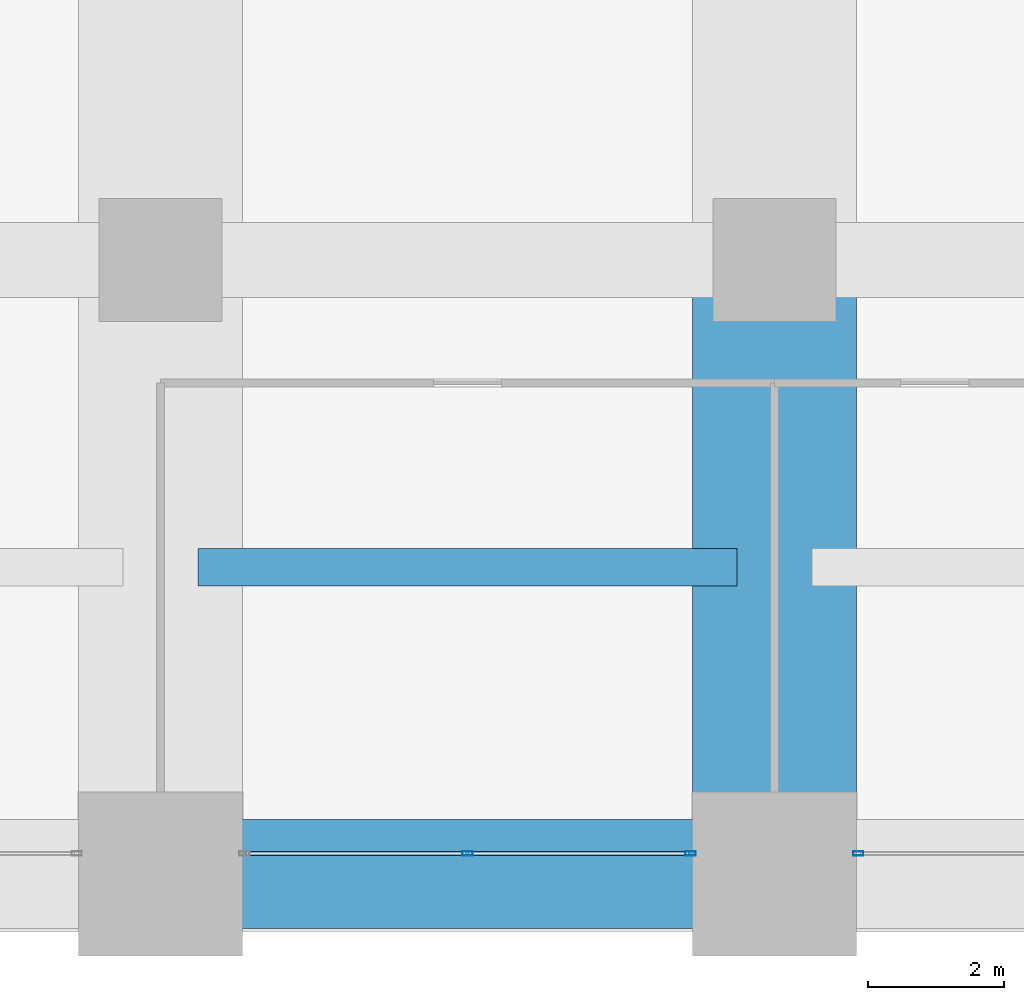
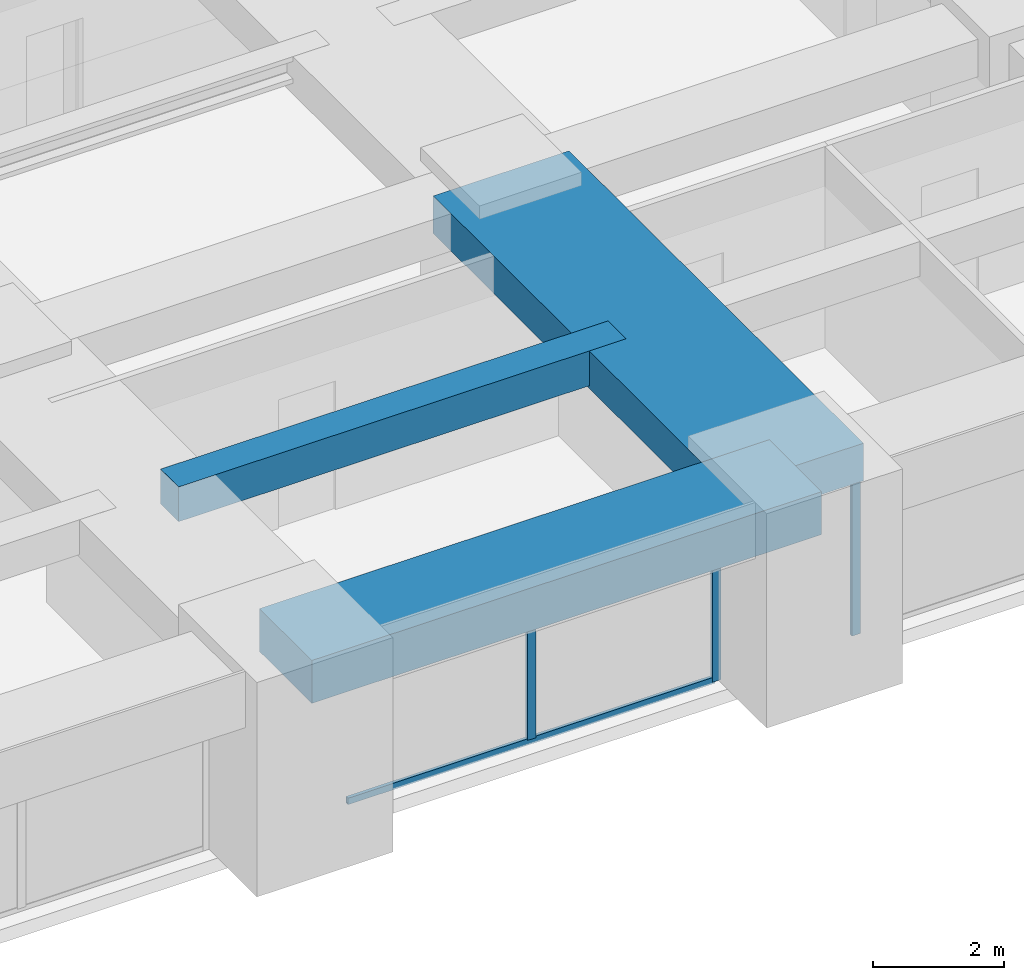
# One storey, part 14 of 43: 4 members, 3 beams, 2 elements without a shape of their own.
"""IFC4 building model written with IfcOpenShell, lengths in metres."""

import ifcopenshell
import ifcopenshell.guid

model = None  # the IFC model being written
_history = None  # IfcOwnerHistory: only IFC2X3 demands one
_inside = {}  # id of a spatial element -> (the spatial element, [elements in it])
_under = {}  # id of a project, library or spatial element -> (it, [spatial elements below it])
_declared = {}  # id of a project -> (the project, [libraries it declares])
_typed = {}  # id of a type object -> (the type object, [elements of that type])
_made_of = {}  # id of a material, layer set ... -> (it, [elements and type objects made of it])


def new_model(schema):
    """Start an empty IFC model of exactly this schema.

    Asked for "IFC4X3", IfcOpenShell would pick the latest addendum, in which some entities
    have other attributes; the version numbers below select the first issue.
    IFC2X3 requires an IfcOwnerHistory on every rooted entity: one is made here for all.
    """
    global model, _history
    if schema == "IFC4X3":
        model = ifcopenshell.file(schema_version=(4, 3, 0, 0))
    else:
        model = ifcopenshell.file(schema=schema)
    _inside.clear()
    _under.clear()
    _declared.clear()
    _typed.clear()
    _made_of.clear()
    _history = None
    if model.schema == "IFC2X3":
        org = make("IfcOrganization", Name="unknown")
        user = make(
            "IfcPersonAndOrganization",
            ThePerson=make("IfcPerson", FamilyName="unknown"),
            TheOrganization=org,
        )
        app = make(
            "IfcApplication",
            ApplicationDeveloper=org,
            Version="unknown",
            ApplicationFullName="unknown",
            ApplicationIdentifier="unknown",
        )
        _history = make(
            "IfcOwnerHistory",
            OwningUser=user,
            OwningApplication=app,
            ChangeAction="ADDED",
            CreationDate=0,
        )
    return model


def make(cls, **values):
    """One entity of the class cls with the attributes given. An attribute that is None is left unset."""
    return model.create_entity(
        cls, **{name: value for name, value in values.items() if value is not None}
    )


def rooted(cls, **values):
    """An entity with a GlobalId (a new one), such as an element, a storey or a relation."""
    return make(cls, GlobalId=ifcopenshell.guid.new(), OwnerHistory=_history, **values)


def si_unit(unit_type, name, prefix=None):
    """IfcSIUnit, for example si_unit("LENGTHUNIT", "METRE", prefix="MILLI")."""
    return make("IfcSIUnit", UnitType=unit_type, Prefix=prefix, Name=name)


def assignment(units):
    """IfcUnitAssignment: the units of a project."""
    return None if units is None else make("IfcUnitAssignment", Units=units)


def point(xyz):
    """IfcCartesianPoint."""
    return None if xyz is None else make("IfcCartesianPoint", Coordinates=xyz)


def direction(xyz):
    """IfcDirection."""
    return None if xyz is None else make("IfcDirection", DirectionRatios=xyz)


def frame(location, z_axis=None, x_axis=None):
    """IfcAxis2Placement3D, a coordinate frame: its origin and axes. An axis left out is left unset."""
    return make(
        "IfcAxis2Placement3D",
        Location=point(location),
        Axis=direction(z_axis),
        RefDirection=direction(x_axis),
    )


def frame_2d(location, x_axis=None):
    """IfcAxis2Placement2D, a coordinate frame in the plane: its origin and x axis."""
    return make(
        "IfcAxis2Placement2D", Location=point(location), RefDirection=direction(x_axis)
    )


def origin():
    """The frame at (0, 0, 0) with its axes left unset."""
    return frame((0.0, 0.0, 0.0))


def origin_2d():
    """The frame at (0, 0) in the plane with its x axis left unset."""
    return frame_2d((0.0, 0.0))


def place(relative_to, where):
    """IfcLocalPlacement: puts the frame where relative to a parent placement (None: the world)."""
    return make(
        "IfcLocalPlacement", PlacementRelTo=relative_to, RelativePlacement=where
    )


def context(
    kind, dimensions, precision=None, world=None, true_north=None, identifier=None
):
    """IfcGeometricRepresentationContext, for example the 3D "Model" context."""
    return make(
        "IfcGeometricRepresentationContext",
        ContextIdentifier=identifier,
        ContextType=kind,
        CoordinateSpaceDimension=dimensions,
        Precision=precision,
        WorldCoordinateSystem=world,
        TrueNorth=true_north,
    )


def subcontext(parent, identifier, kind, view, scale=None):
    """IfcGeometricRepresentationSubContext, for example "Body" below "Model"."""
    return make(
        "IfcGeometricRepresentationSubContext",
        ContextIdentifier=identifier,
        ContextType=kind,
        ParentContext=parent,
        TargetScale=scale,
        TargetView=view,
    )


def project(units=None, contexts=None):
    """IfcProject with its units and contexts."""
    return rooted(
        "IfcProject",
        Name="project",
        RepresentationContexts=contexts,
        UnitsInContext=assignment(units),
    )


def spatial(cls, under=None, at=None, **own):
    """A site, building, storey or space (cls), placed at a placement, below another one or the project."""
    s = rooted(cls, ObjectPlacement=at, **own)
    if under is not None:
        _under.setdefault(under.id(), (under, []))[1].append(s)
    return s


def profile(cls, at=None, kind="AREA", **sizes):
    """A parametric profile (cls). Its sizes go by their IFC names, for example OverallWidth=200.0."""
    return make(cls, ProfileType=kind, Position=at, **sizes)


def rectangle(**sizes):
    """IfcRectangleProfileDef."""
    return profile("IfcRectangleProfileDef", **sizes)


def hollow_rectangle(**sizes):
    """IfcRectangleHollowProfileDef."""
    return profile("IfcRectangleHollowProfileDef", **sizes)


def extrude(swept, where, along, depth):
    """IfcExtrudedAreaSolid: the profile swept, set in the frame where, extruded along a direction by depth."""
    return make(
        "IfcExtrudedAreaSolid",
        SweptArea=swept,
        Position=where,
        ExtrudedDirection=direction(along),
        Depth=depth,
    )


def shape(context_of_items, identifier, shape_type, items):
    """IfcShapeRepresentation: the items that make up one representation, for example the "Body"."""
    return make(
        "IfcShapeRepresentation",
        ContextOfItems=context_of_items,
        RepresentationIdentifier=identifier,
        RepresentationType=shape_type,
        Items=items,
    )


def material(Name=None, Category=None):
    """IfcMaterial."""
    return make("IfcMaterial", Name=Name, Category=Category)


def material_profile(
    of_material, cross_section, Name=None, Category=None, Priority=None
):
    """IfcMaterialProfile: a cross section and its material."""
    return make(
        "IfcMaterialProfile",
        Name=Name,
        Material=of_material,
        Profile=cross_section,
        Priority=Priority,
        Category=Category,
    )


def profile_set(profiles, Name=None, composite=None):
    """IfcMaterialProfileSet."""
    return make(
        "IfcMaterialProfileSet",
        Name=Name,
        MaterialProfiles=profiles,
        CompositeProfile=composite,
    )


def made_of(thing, what):
    """Note that an element or type object is made of a material, layer set ...; save() writes the relation."""
    if what is not None:
        _made_of.setdefault(what.id(), (what, []))[1].append(thing)
    return thing


def type_object(cls, material=None, **own):
    """A type object (cls), such as IfcWallType, which elements share."""
    return made_of(rooted(cls, **own), material)


def element(
    cls,
    number,
    at=None,
    inside=None,
    cuts=None,
    type_object=None,
    material=None,
    context=None,
    identifier="Body",
    shape_type=None,
    held_by="IfcProductDefinitionShape",
    body=None,
    shapes=None,
    **own,
):
    """One element of the class cls, such as IfcWall. Its Tag is "e" and its number.

    at: its placement. inside: the storey or other place that contains it. cuts: it is an
    opening in that element (IfcRelVoidsElement). A single representation is given by context,
    identifier, shape_type and body (its items); several are given by shapes. held_by: the class
    of the entity that holds the representations. save() writes the other relations.
    """
    e = rooted(cls, Tag="e%d" % number, ObjectPlacement=at, **own)
    if body is not None:
        shapes = [shape(context, identifier, shape_type, body)]
    if shapes is not None:
        e.Representation = make(held_by, Representations=shapes)
    if inside is not None:
        _inside.setdefault(inside.id(), (inside, []))[1].append(e)
    if cuts is not None:
        rooted(
            "IfcRelVoidsElement", RelatingBuildingElement=cuts, RelatedOpeningElement=e
        )
    if type_object is not None:
        _typed.setdefault(type_object.id(), (type_object, []))[1].append(e)
    return made_of(e, material)


def aggregate(whole, parts):
    """IfcRelAggregates: a whole, such as a stair, and the parts it consists of."""
    return rooted("IfcRelAggregates", RelatingObject=whole, RelatedObjects=parts)


def save(model, path):
    """Write the relations noted so far, then the file.

    IfcRelAggregates (storeys below a building ...), IfcRelContainedInSpatialStructure (elements
    in a storey), IfcRelDefinesByType, IfcRelAssociatesMaterial and IfcRelDeclares: one each for
    every whole, place, type object, material and project.
    """
    for whole, parts in _under.values():
        aggregate(whole, parts)
    for where, things in _inside.values():
        rooted(
            "IfcRelContainedInSpatialStructure",
            RelatedElements=things,
            RelatingStructure=where,
        )
    for kind, things in _typed.values():
        rooted("IfcRelDefinesByType", RelatedObjects=things, RelatingType=kind)
    for what, things in _made_of.values():
        rooted("IfcRelAssociatesMaterial", RelatedObjects=things, RelatingMaterial=what)
    for by, libraries in _declared.values():
        rooted("IfcRelDeclares", RelatingContext=by, RelatedDefinitions=libraries)
    model.write(path)


model = new_model("IFC4")

# Units and contexts
model_context = context("Model", 3, precision=1e-05, world=origin(), true_north=direction((0.0, 1.0)))
body_context = subcontext(model_context, "Body", "Model", "MODEL_VIEW")
ifc_project = project(units=[si_unit("LENGTHUNIT", "METRE"), si_unit("AREAUNIT", "SQUARE_METRE"), si_unit("VOLUMEUNIT", "CUBIC_METRE"), si_unit("PLANEANGLEUNIT", "RADIAN"), si_unit("MASSUNIT", "GRAM", prefix="KILO")], contexts=[model_context])

# Site, building, storey
site_placement = place(None, origin())
site = spatial("IfcSite", under=ifc_project, at=site_placement, CompositionType="ELEMENT")
building_placement = place(site_placement, origin())
building = spatial("IfcBuilding", under=site, at=building_placement, Name="Zorevar Civic Tower", CompositionType="ELEMENT")
storey_placement = place(building_placement, frame((0.0, 0.0, 141.0)))
storey = spatial("IfcBuildingStorey", under=building, at=storey_placement, Name="L34", CompositionType="ELEMENT", Elevation=141.0)

# Beams
ifc_material_1 = material(Name="Concrete C50/60", Category="concrete")
ifc_material_profile_1 = material_profile(ifc_material_1, rectangle(XDim=2.39990234375, YDim=0.699951171875, at=origin_2d()), Name="RC 2400x700")
ifc_profile_set_1 = profile_set([ifc_material_profile_1], Name="Concrete C50/60")
beam_type_1 = type_object("IfcBeamType", Name="Beam RC 2400x700", PredefinedType="BEAM", material=ifc_profile_set_1)
beam_1_placement = place(storey_placement, frame((45.0, 0.0, 3.39990234375), z_axis=(0.0, 1.0, 0.0), x_axis=(-1.0, 0.0, 0.0)))
element("IfcBeam", 1, at=beam_1_placement, inside=storey, type_object=beam_type_1, Name="Girder L35", PredefinedType="BEAM", context=body_context, shape_type="SweptSolid", body=[
    extrude(rectangle(XDim=2.39990234375, YDim=0.699951171875, at=origin_2d()), origin(), (0.0, 0.0, 1.0), 9.0),
])
ifc_material_2 = material(Name="Concrete C50/60", Category="concrete")
ifc_material_profile_2 = material_profile(ifc_material_2, rectangle(XDim=0.550048828125, YDim=0.64990234375, at=origin_2d()), Name="RC 550x650")
ifc_profile_set_2 = profile_set([ifc_material_profile_2], Name="Concrete C50/60")
beam_type_2 = type_object("IfcBeamType", Name="Beam RC 550x650", PredefinedType="BEAM", material=ifc_profile_set_2)
beam_2_placement = place(storey_placement, frame((36.550048828125, 4.5, 3.425048828125), z_axis=(1.0, 0.0, 0.0), x_axis=(0.0, 1.0, 0.0)))
element("IfcBeam", 2, at=beam_2_placement, inside=storey, type_object=beam_type_2, Name="Secondary beam L35", PredefinedType="BEAM", context=body_context, shape_type="SweptSolid", body=[
    extrude(rectangle(XDim=0.550048828125, YDim=0.64990234375, at=origin_2d()), origin(), (0.0, 0.0, 1.0), 7.89990234375),
])

# Curtain wall, members
ifc_material_3 = material(Name="Dark grey solar-control glass in black aluminium frame", Category="aluminium")
curtain_wall_type = type_object("IfcCurtainWallType", Name="Curtain wall CW3 mid zone", PredefinedType="NOTDEFINED", material=ifc_material_3)
curtain_wall_1_placement = place(storey_placement, origin())
curtain_wall_1 = element("IfcCurtainWall", 3, at=curtain_wall_1_placement, inside=storey, type_object=curtain_wall_type, Name="CW3 L34", PredefinedType="NOTDEFINED")
ifc_material_4 = material(Name="Aluminium, black anodised", Category="aluminium")
ifc_material_profile_3 = material_profile(ifc_material_4, hollow_rectangle(XDim=0.06005859375, YDim=0.14990234375, WallThickness=0.00390625, at=origin_2d()), Name="AL 150x60x4")
ifc_profile_set_3 = profile_set([ifc_material_profile_3], Name="Aluminium, black anodised")
member_type_1 = type_object("IfcMemberType", Name="CW3 mullion AL 150x60x4", PredefinedType="MULLION", material=ifc_profile_set_3)
member_1_placement = place(storey_placement, frame((40.5, 0.300048828125, 0.06005859375), z_axis=(0.0, 0.0, 1.0), x_axis=(0.0, 1.0, 0.0)))
member_1 = element("IfcMember", 4, at=member_1_placement, type_object=member_type_1, Name="CW3 mullion 2", PredefinedType="MULLION", context=body_context, shape_type="SweptSolid", body=[
    extrude(hollow_rectangle(XDim=0.06005859375, YDim=0.14990234375, WallThickness=0.00390625, at=origin_2d()), origin(), (0.0, 0.0, 1.0), 2.889892578125),
])
member_2_placement = place(storey_placement, frame((43.77001953125, 0.300048828125, 0.0), z_axis=(0.0, 0.0, 1.0), x_axis=(0.0, 1.0, 0.0)))
member_2 = element("IfcMember", 5, at=member_2_placement, type_object=member_type_1, Name="CW3 mullion 3", PredefinedType="MULLION", context=body_context, shape_type="SweptSolid", body=[
    extrude(hollow_rectangle(XDim=0.06005859375, YDim=0.14990234375, WallThickness=0.00390625, at=origin_2d()), origin(), (0.0, 0.0, 1.0), 2.949951171875),
])

# Curtain wall, member
curtain_wall_2_placement = place(storey_placement, origin())
curtain_wall_2 = element("IfcCurtainWall", 6, at=curtain_wall_2_placement, inside=storey, type_object=curtain_wall_type, Name="CW3 L34", PredefinedType="NOTDEFINED")
member_3_placement = place(storey_placement, frame((46.22998046875, 0.300048828125, 0.0), z_axis=(0.0, 0.0, 1.0), x_axis=(0.0, 1.0, 0.0)))
member_3 = element("IfcMember", 7, at=member_3_placement, type_object=member_type_1, Name="CW3 mullion 1", PredefinedType="MULLION", context=body_context, shape_type="SweptSolid", body=[
    extrude(hollow_rectangle(XDim=0.06005859375, YDim=0.14990234375, WallThickness=0.00390625, at=origin_2d()), origin(), (0.0, 0.0, 1.0), 2.949951171875),
])
aggregate(curtain_wall_2, [member_3])

# Member
ifc_material_5 = material(Name="Aluminium, black anodised", Category="aluminium")
ifc_material_profile_4 = material_profile(ifc_material_5, hollow_rectangle(XDim=0.06005859375, YDim=0.1201171875, WallThickness=0.0029296875, at=origin_2d()), Name="AL 120x60x3")
ifc_profile_set_4 = profile_set([ifc_material_profile_4], Name="Aluminium, black anodised")
member_type_2 = type_object("IfcMemberType", Name="CW3 transom AL 120x60x3", PredefinedType="USERDEFINED", material=ifc_profile_set_4)
member_4_placement = place(storey_placement, frame((37.260009765625, 0.300048828125, 0.030029296875), z_axis=(1.0, 0.0, 0.0), x_axis=(0.0, 1.0, 0.0)))
member_4 = element("IfcMember", 8, at=member_4_placement, type_object=member_type_2, Name="CW3 sill transom", ObjectType="TRANSOM", PredefinedType="USERDEFINED", context=body_context, shape_type="SweptSolid", body=[
    extrude(hollow_rectangle(XDim=0.06005859375, YDim=0.1201171875, WallThickness=0.0029296875, at=origin_2d()), origin(), (0.0, 0.0, 1.0), 6.47998046875),
])

aggregate(curtain_wall_1, [member_1, member_2, member_4])

# Beam
ifc_material_6 = material(Name="Concrete C50/60", Category="concrete")
ifc_material_profile_5 = material_profile(ifc_material_6, rectangle(XDim=1.60009765625, YDim=0.800048828125, at=origin_2d()), Name="RC 1600x800")
ifc_profile_set_5 = profile_set([ifc_material_profile_5], Name="Concrete C50/60")
beam_type_3 = type_object("IfcBeamType", Name="Edge beam RC 1600x800", PredefinedType="SPANDREL", material=ifc_profile_set_5)
beam_3_placement = place(storey_placement, frame((36.0, 0.0, 3.35009765625), z_axis=(1.0, 0.0, 0.0), x_axis=(0.0, 1.0, 0.0)))
element("IfcBeam", 9, at=beam_3_placement, inside=storey, type_object=beam_type_3, Name="Edge beam L35", PredefinedType="SPANDREL", context=body_context, shape_type="SweptSolid", body=[
    extrude(rectangle(XDim=1.60009765625, YDim=0.800048828125, at=origin_2d()), origin(), (0.0, 0.0, 1.0), 9.0),
])

save(model, "model.ifc")
